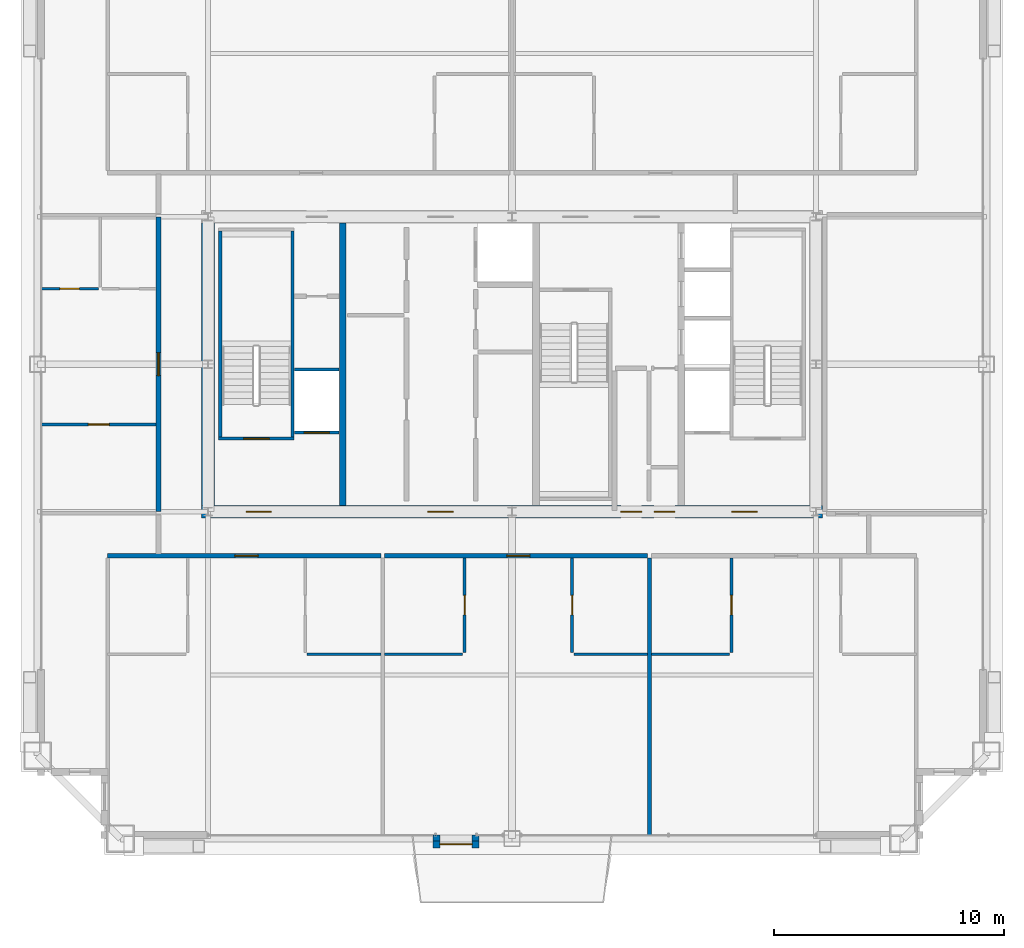
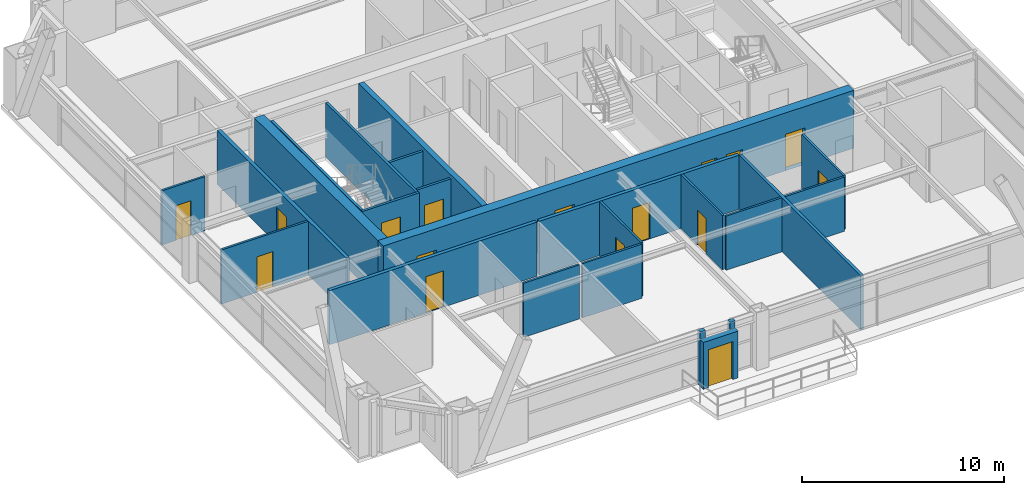
# One storey, part 31 of 35: 24 walls, 16 doors, 16 openings.
"""IFC4 building model written with IfcOpenShell, lengths in metres."""

from ifc_helpers import new_model, si_unit, direction, frame, frame_2d, origin, place, context, subcontext, project, spatial, rectangle, extrude, source, transform, mapped, material, layer, layer_set, type_object, element, fill, save


model = new_model("IFC4")

# Units and contexts
model_context = context("Model", 3, precision=1e-05, world=origin(), true_north=direction((0.0, 1.0)))
body_context = subcontext(model_context, "Body", "Model", "MODEL_VIEW")
ifc_project = project(units=[si_unit("LENGTHUNIT", "METRE"), si_unit("AREAUNIT", "SQUARE_METRE"), si_unit("VOLUMEUNIT", "CUBIC_METRE"), si_unit("PLANEANGLEUNIT", "RADIAN"), si_unit("MASSUNIT", "GRAM", prefix="KILO"), si_unit("THERMODYNAMICTEMPERATUREUNIT", "KELVIN"), si_unit("POWERUNIT", "WATT")], contexts=[model_context])

# Site, building, storey
site_placement = place(None, origin())
site = spatial("IfcSite", under=ifc_project, at=site_placement, CompositionType="ELEMENT")
building_placement = place(site_placement, origin())
building = spatial("IfcBuilding", under=site, at=building_placement, Name="Yuzanri Waterfront Tower", CompositionType="ELEMENT")
storey_placement = place(building_placement, frame((0.0, 0.0, 271.60009765625)))
storey = spatial("IfcBuildingStorey", under=building, at=storey_placement, Name="L72", CompositionType="ELEMENT", Elevation=271.60009765625)

# Wall, opening, door
ifc_material_1 = material(Name="Moisture-Resistant Gypsum Stud Wall", Category="gypsum")
ifc_layer_1 = layer(ifc_material_1, 0.1201171875)
ifc_layer_set_1 = layer_set([ifc_layer_1], Name="Moisture-Resistant Gypsum Stud Wall")
wall_type_1 = type_object("IfcWallType", Name="Bathroom and Kitchen Wet Partition 120", PredefinedType="PARTITIONING", material=ifc_layer_set_1)
wall_1_placement = place(storey_placement, frame((34.94091796875, 13.280029296875, 0.0), z_axis=(0.0, 0.0, 1.0), x_axis=(0.0, 1.0, 0.0)))
wall_1 = element("IfcWall", 1, at=wall_1_placement, inside=storey, type_object=wall_type_1, Name="L72 Partition UW-L72-HS2-SUB-1-E", PredefinedType="PARTITIONING", context=body_context, shape_type="SweptSolid", body=[
    extrude(rectangle(XDim=4.10986328125, YDim=0.1201171875, at=frame_2d((2.054931640625, 0.0))), origin(), (0.0, 0.0, 1.0), 3.27978515625),
])
opening_1_placement = place(wall_1_placement, frame((1.6298828125, 0.0, 0.0)))
opening_1 = element("IfcOpeningElement", 2, at=opening_1_placement, cuts=wall_1, Name="Opening ID-0850", PredefinedType="OPENING", context=body_context, shape_type="SweptSolid", body=[
    extrude(rectangle(XDim=0.85009765625, YDim=2.10009765625, at=frame_2d((0.425048828125, 1.050048828125))), frame((0.0, 0.074951171875, 0.0), z_axis=(0.0, -1.0, 0.0), x_axis=(1.0, 0.0, 0.0)), (0.0, 0.0, 1.0), 0.14990234375),
])
ifc_material_2 = material(Name="Moisture-Resistant Lacquered Timber", Category="wood")
door_type_1 = type_object("IfcDoorType", Name="En-Suite Bathroom and Kitchen Swing Door 850x2100", OperationType="NOTDEFINED", PredefinedType="DOOR", material=ifc_material_2)
shared_shape_1 = source(origin(), body_context, "Body", "SweptSolid", [
    extrude(rectangle(XDim=0.85009765625, YDim=2.10009765625, at=frame_2d((0.425048828125, 1.050048828125))), frame((0.0, 0.02490234375, 0.0), z_axis=(0.0, -1.0, 0.0), x_axis=(1.0, 0.0, 0.0)), (0.0, 0.0, 1.0), 0.050048828125),
])
door_1_placement = place(opening_1_placement, origin())
door_1 = element("IfcDoor", 3, at=door_1_placement, inside=storey, type_object=door_type_1, Name="L72 Suite Interior Room Door", OperationType="SINGLE_SWING_LEFT", OverallHeight=2.10009765625, OverallWidth=0.85009765625, PredefinedType="DOOR", context=body_context, shape_type="MappedRepresentation", body=[
    mapped(shared_shape_1, transform((0.0, 0.0, 0.0), scale=1.0)),
])
fill(opening_1, door_1)

wall_2_placement = place(storey_placement, frame((39.610107421875, 13.280029296875, 0.0), z_axis=(0.0, 0.0, 1.0), x_axis=(0.0, 1.0, 0.0)))
wall_2 = element("IfcWall", 4, at=wall_2_placement, inside=storey, type_object=wall_type_1, Name="L72 Partition UW-L72-HS2-SUB-2-W", PredefinedType="PARTITIONING", context=body_context, shape_type="SweptSolid", body=[
    extrude(rectangle(XDim=4.10986328125, YDim=0.1201171875, at=frame_2d((2.054931640625, 0.0))), origin(), (0.0, 0.0, 1.0), 3.27978515625),
])
opening_2_placement = place(wall_2_placement, frame((1.6298828125, 0.0, 0.0)))
opening_2 = element("IfcOpeningElement", 5, at=opening_2_placement, cuts=wall_2, Name="Opening ID-0850", PredefinedType="OPENING", context=body_context, shape_type="SweptSolid", body=[
    extrude(rectangle(XDim=0.85009765625, YDim=2.10009765625, at=frame_2d((0.425048828125, 1.050048828125))), frame((0.0, 0.074951171875, 0.0), z_axis=(0.0, -1.0, 0.0), x_axis=(1.0, 0.0, 0.0)), (0.0, 0.0, 1.0), 0.14990234375),
])
door_2_placement = place(opening_2_placement, origin())
door_2 = element("IfcDoor", 6, at=door_2_placement, inside=storey, type_object=door_type_1, Name="L72 Suite Interior Room Door", OperationType="SINGLE_SWING_RIGHT", OverallHeight=2.10009765625, OverallWidth=0.85009765625, PredefinedType="DOOR", context=body_context, shape_type="MappedRepresentation", body=[
    mapped(shared_shape_1, transform((0.0, 0.0, 0.0), scale=1.0)),
])
fill(opening_2, door_2)

wall_3_placement = place(storey_placement, frame((46.530029296875, 13.280029296875, 0.0), z_axis=(0.0, 0.0, 1.0), x_axis=(0.0, 1.0, 0.0)))
wall_3 = element("IfcWall", 7, at=wall_3_placement, inside=storey, type_object=wall_type_1, Name="L72 Partition UW-L72-HS3-SUB-1-E", PredefinedType="PARTITIONING", context=body_context, shape_type="SweptSolid", body=[
    extrude(rectangle(XDim=4.10986328125, YDim=0.1201171875, at=frame_2d((2.054931640625, 0.0))), origin(), (0.0, 0.0, 1.0), 3.27978515625),
])
opening_3_placement = place(wall_3_placement, frame((1.6298828125, 0.0, 0.0)))
opening_3 = element("IfcOpeningElement", 8, at=opening_3_placement, cuts=wall_3, Name="Opening ID-0850", PredefinedType="OPENING", context=body_context, shape_type="SweptSolid", body=[
    extrude(rectangle(XDim=0.85009765625, YDim=2.10009765625, at=frame_2d((0.425048828125, 1.050048828125))), frame((0.0, 0.074951171875, 0.0), z_axis=(0.0, -1.0, 0.0), x_axis=(1.0, 0.0, 0.0)), (0.0, 0.0, 1.0), 0.14990234375),
])
door_3_placement = place(opening_3_placement, origin())
door_3 = element("IfcDoor", 9, at=door_3_placement, inside=storey, type_object=door_type_1, Name="L72 Suite Interior Room Door", OperationType="SINGLE_SWING_RIGHT", OverallHeight=2.10009765625, OverallWidth=0.85009765625, PredefinedType="DOOR", context=body_context, shape_type="MappedRepresentation", body=[
    mapped(shared_shape_1, transform((0.0, 0.0, 0.0), scale=1.0)),
])
fill(opening_3, door_3)

wall_4_placement = place(storey_placement, frame((16.550048828125, 29.080078125, 0.0), z_axis=(0.0, 0.0, 1.0), x_axis=(1.0, 0.0, 0.0)))
wall_4 = element("IfcWall", 10, at=wall_4_placement, inside=storey, type_object=wall_type_1, Name="L72 Partition UW-L72-HW1-SUB-1-S", PredefinedType="PARTITIONING", context=body_context, shape_type="SweptSolid", body=[
    extrude(rectangle(XDim=2.48486328125, YDim=0.1201171875, at=frame_2d((1.242431640625, 0.0))), origin(), (0.0, 0.0, 1.0), 3.27978515625),
])
opening_4_placement = place(wall_4_placement, frame((0.8173828125, 0.0, 0.0)))
opening_4 = element("IfcOpeningElement", 11, at=opening_4_placement, cuts=wall_4, Name="Opening ID-0850", PredefinedType="OPENING", context=body_context, shape_type="SweptSolid", body=[
    extrude(rectangle(XDim=0.85009765625, YDim=2.10009765625, at=frame_2d((0.425048828125, 1.050048828125))), frame((0.0, 0.074951171875, 0.0), z_axis=(0.0, -1.0, 0.0), x_axis=(1.0, 0.0, 0.0)), (0.0, 0.0, 1.0), 0.14990234375),
])
door_4_placement = place(opening_4_placement, origin())
door_4 = element("IfcDoor", 12, at=door_4_placement, inside=storey, type_object=door_type_1, Name="L72 Suite Interior Room Door", OperationType="SINGLE_SWING_LEFT", OverallHeight=2.10009765625, OverallWidth=0.85009765625, PredefinedType="DOOR", context=body_context, shape_type="MappedRepresentation", body=[
    mapped(shared_shape_1, transform((0.0, 0.0, 0.0), scale=1.0)),
])
fill(opening_4, door_4)

wall_5_placement = place(storey_placement, frame((16.550048828125, 23.179931640625, 0.0), z_axis=(0.0, 0.0, 1.0), x_axis=(1.0, 0.0, 0.0)))
wall_5 = element("IfcWall", 13, at=wall_5_placement, inside=storey, type_object=wall_type_1, Name="L72 Partition UW-L72-HW1-SUB-3-N", PredefinedType="PARTITIONING", context=body_context, shape_type="SweptSolid", body=[
    extrude(rectangle(XDim=5.0, YDim=0.1201171875, at=frame_2d((2.5, 0.0))), origin(), (0.0, 0.0, 1.0), 3.27978515625),
])
opening_5_placement = place(wall_5_placement, frame((2.050048828125, 0.0, 0.0)))
opening_5 = element("IfcOpeningElement", 14, at=opening_5_placement, cuts=wall_5, Name="Opening ID-0900", PredefinedType="OPENING", context=body_context, shape_type="SweptSolid", body=[
    extrude(rectangle(XDim=0.89990234375, YDim=2.14990234375, at=frame_2d((0.449951171875, 1.074951171875))), frame((0.0, 0.074951171875, 0.0), z_axis=(0.0, -1.0, 0.0), x_axis=(1.0, 0.0, 0.0)), (0.0, 0.0, 1.0), 0.14990234375),
])
ifc_material_3 = material(Name="Stained Walnut Veneer Timber", Category="wood")
door_type_2 = type_object("IfcDoorType", Name="Bedroom and Study Interior Swing Door 900x2150", OperationType="NOTDEFINED", PredefinedType="DOOR", material=ifc_material_3)
shared_shape_2 = source(origin(), body_context, "Body", "SweptSolid", [
    extrude(rectangle(XDim=0.89990234375, YDim=2.14990234375, at=frame_2d((0.449951171875, 1.074951171875))), frame((0.0, 0.02490234375, 0.0), z_axis=(0.0, -1.0, 0.0), x_axis=(1.0, 0.0, 0.0)), (0.0, 0.0, 1.0), 0.050048828125),
])
door_5_placement = place(opening_5_placement, origin())
door_5 = element("IfcDoor", 15, at=door_5_placement, inside=storey, type_object=door_type_2, Name="L72 Suite Interior Room Door", OperationType="SINGLE_SWING_LEFT", OverallHeight=2.14990234375, OverallWidth=0.89990234375, PredefinedType="DOOR", context=body_context, shape_type="MappedRepresentation", body=[
    mapped(shared_shape_2, transform((0.0, 0.0, 0.0), scale=1.0)),
])
fill(opening_5, door_5)

ifc_material_4 = material(Name="Honed Chongqing Dark Basalt Stone", Category="masonry")
ifc_layer_2 = layer(ifc_material_4, 0.300048828125)
ifc_layer_set_2 = layer_set([ifc_layer_2], Name="Honed Chongqing Dark Basalt Stone")
wall_type_2 = type_object("IfcWallType", Name="Bronze Rainscreen Insulated Spandrel Portal Wall 300", PredefinedType="SOLIDWALL", material=ifc_layer_set_2)
wall_6_placement = place(storey_placement, frame((33.56396484375, 4.949951171875, 0.0), z_axis=(0.0, 0.0, 1.0), x_axis=(1.0, 0.0, 0.0)))
wall_6 = element("IfcWall", 16, at=wall_6_placement, inside=storey, type_object=wall_type_2, Name="L72 S Terrace Door Portal Wall", PredefinedType="SOLIDWALL", context=body_context, shape_type="SweptSolid", body=[
    extrude(rectangle(XDim=2.0, YDim=0.300048828125, at=frame_2d((1.0, 0.0))), origin(), (0.0, 0.0, 1.0), 2.8349609375),
])
opening_6_placement = place(wall_6_placement, frame((0.300048828125, 0.0, 0.0)))
opening_6 = element("IfcOpeningElement", 17, at=opening_6_placement, cuts=wall_6, Name="Opening TD-1400", PredefinedType="OPENING", context=body_context, shape_type="SweptSolid", body=[
    extrude(rectangle(XDim=1.39990234375, YDim=2.300048828125, at=frame_2d((0.699951171875, 1.14990234375))), frame((0.0, 0.1650390625, 0.0), z_axis=(0.0, -1.0, 0.0), x_axis=(1.0, 0.0, 0.0)), (0.0, 0.0, 1.0), 0.329833984375),
])
ifc_material_5 = material(Name="Anodized Architectural Bronze", Category="metal")
door_type_3 = type_object("IfcDoorType", Name="Anodized Bronze Balcony and Terrace Glazed Double Door 1400x2300", OperationType="NOTDEFINED", PredefinedType="DOOR", material=ifc_material_5)
shared_shape_3 = source(origin(), body_context, "Body", "SweptSolid", [
    extrude(rectangle(XDim=1.39990234375, YDim=2.300048828125, at=frame_2d((0.699951171875, 1.14990234375))), frame((0.0, 0.02490234375, 0.0), z_axis=(0.0, -1.0, 0.0), x_axis=(1.0, 0.0, 0.0)), (0.0, 0.0, 1.0), 0.050048828125),
])
door_6_placement = place(opening_6_placement, origin())
door_6 = element("IfcDoor", 18, at=door_6_placement, inside=storey, type_object=door_type_3, Name="L72 S Terrace Glazed Double Door", OperationType="DOUBLE_DOOR_SINGLE_SWING", OverallHeight=2.300048828125, OverallWidth=1.39990234375, PredefinedType="DOOR", context=body_context, shape_type="MappedRepresentation", body=[
    mapped(shared_shape_3, transform((0.0, 0.0, 0.0), scale=1.0)),
])
fill(opening_6, door_6)

# Wall, openings, doors
ifc_material_6 = material(Name="Concrete C50", Category="concrete")
ifc_layer_3 = layer(ifc_material_6, 0.550048828125)
ifc_layer_set_3 = layer_set([ifc_layer_3], Name="Concrete C50")
wall_type_3 = type_object("IfcWallType", Name="Concrete C50 Upper-Mid Zone Core Shear Wall 550", PredefinedType="SHEAR", material=ifc_layer_set_3)
wall_7_placement = place(storey_placement, frame((23.52490234375, 19.39990234375, 0.0), z_axis=(0.0, 0.0, 1.0), x_axis=(1.0, 0.0, 0.0)))
wall_7 = element("IfcWall", 19, at=wall_7_placement, inside=storey, type_object=wall_type_3, Name="L72 Core South Shear Wall", PredefinedType="SHEAR", context=body_context, shape_type="SweptSolid", body=[
    extrude(rectangle(XDim=26.9501953125, YDim=0.550048828125, at=frame_2d((13.47509765625, 0.0))), origin(), (0.0, 0.0, 1.0), 3.5),
])
opening_7_placement = place(wall_7_placement, frame((1.925048828125, 0.0, 0.0)))
opening_7 = element("IfcOpeningElement", 20, at=opening_7_placement, cuts=wall_7, Name="Opening FD-1100", PredefinedType="OPENING", context=body_context, shape_type="SweptSolid", body=[
    extrude(rectangle(XDim=1.10009765625, YDim=2.199951171875, at=frame_2d((0.550048828125, 1.10009765625))), frame((0.0, 0.2900390625, 0.0), z_axis=(0.0, -1.0, 0.0), x_axis=(1.0, 0.0, 0.0)), (0.0, 0.0, 1.0), 0.579833984375),
])
opening_8_placement = place(wall_7_placement, frame((9.824951171875, 0.0, 0.0)))
opening_8 = element("IfcOpeningElement", 21, at=opening_8_placement, cuts=wall_7, Name="Opening FD-1100", PredefinedType="OPENING", context=body_context, shape_type="SweptSolid", body=[
    extrude(rectangle(XDim=1.10009765625, YDim=2.199951171875, at=frame_2d((0.550048828125, 1.10009765625))), frame((0.0, 0.2900390625, 0.0), z_axis=(0.0, -1.0, 0.0), x_axis=(1.0, 0.0, 0.0)), (0.0, 0.0, 1.0), 0.579833984375),
])
opening_9_placement = place(wall_7_placement, frame((23.02490234375, 0.0, 0.0)))
opening_9 = element("IfcOpeningElement", 22, at=opening_9_placement, cuts=wall_7, Name="Opening FD-1100", PredefinedType="OPENING", context=body_context, shape_type="SweptSolid", body=[
    extrude(rectangle(XDim=1.10009765625, YDim=2.199951171875, at=frame_2d((0.550048828125, 1.10009765625))), frame((0.0, 0.2900390625, 0.0), z_axis=(0.0, -1.0, 0.0), x_axis=(1.0, 0.0, 0.0)), (0.0, 0.0, 1.0), 0.579833984375),
])
opening_10_placement = place(wall_7_placement, frame((19.64501953125, 0.0, 0.0)))
opening_10 = element("IfcOpeningElement", 23, at=opening_10_placement, cuts=wall_7, Name="Opening FD-0900", PredefinedType="OPENING", context=body_context, shape_type="SweptSolid", body=[
    extrude(rectangle(XDim=0.89990234375, YDim=2.14990234375, at=frame_2d((0.449951171875, 1.074951171875))), frame((0.0, 0.2900390625, 0.0), z_axis=(0.0, -1.0, 0.0), x_axis=(1.0, 0.0, 0.0)), (0.0, 0.0, 1.0), 0.579833984375),
])
opening_11_placement = place(wall_7_placement, frame((18.205078125, 0.0, 0.0)))
opening_11 = element("IfcOpeningElement", 24, at=opening_11_placement, cuts=wall_7, Name="Opening FD-0900", PredefinedType="OPENING", context=body_context, shape_type="SweptSolid", body=[
    extrude(rectangle(XDim=0.89990234375, YDim=2.14990234375, at=frame_2d((0.449951171875, 1.074951171875))), frame((0.0, 0.2900390625, 0.0), z_axis=(0.0, -1.0, 0.0), x_axis=(1.0, 0.0, 0.0)), (0.0, 0.0, 1.0), 0.579833984375),
])
ifc_material_7 = material(Name="Painted Galvanized Fire Steel", Category="steel")
door_type_4 = type_object("IfcDoorType", Name="Smoke-Proof Stair and Lobby Fire Door 1100x2200", OperationType="NOTDEFINED", PredefinedType="DOOR", material=ifc_material_7)
shared_shape_4 = source(origin(), body_context, "Body", "SweptSolid", [
    extrude(rectangle(XDim=1.10009765625, YDim=2.199951171875, at=frame_2d((0.550048828125, 1.10009765625))), frame((0.0, 0.02490234375, 0.0), z_axis=(0.0, -1.0, 0.0), x_axis=(1.0, 0.0, 0.0)), (0.0, 0.0, 1.0), 0.050048828125),
])
door_7_placement = place(opening_7_placement, origin())
door_7 = element("IfcDoor", 25, at=door_7_placement, inside=storey, type_object=door_type_4, Name="L72 West Firefighting Lobby Door", OperationType="SINGLE_SWING_RIGHT", OverallHeight=2.199951171875, OverallWidth=1.10009765625, PredefinedType="DOOR", context=body_context, shape_type="MappedRepresentation", body=[
    mapped(shared_shape_4, transform((0.0, 0.0, 0.0), scale=1.0)),
])
fill(opening_7, door_7)
door_8_placement = place(opening_8_placement, origin())
door_8 = element("IfcDoor", 26, at=door_8_placement, inside=storey, type_object=door_type_4, Name="L72 Central Lift Lobby South Door", OperationType="SINGLE_SWING_LEFT", OverallHeight=2.199951171875, OverallWidth=1.10009765625, PredefinedType="DOOR", context=body_context, shape_type="MappedRepresentation", body=[
    mapped(shared_shape_4, transform((0.0, 0.0, 0.0), scale=1.0)),
])
fill(opening_8, door_8)
door_9_placement = place(opening_9_placement, origin())
door_9 = element("IfcDoor", 27, at=door_9_placement, inside=storey, type_object=door_type_4, Name="L72 East Firefighting Lobby Door", OperationType="SINGLE_SWING_RIGHT", OverallHeight=2.199951171875, OverallWidth=1.10009765625, PredefinedType="DOOR", context=body_context, shape_type="MappedRepresentation", body=[
    mapped(shared_shape_4, transform((0.0, 0.0, 0.0), scale=1.0)),
])
fill(opening_9, door_9)
ifc_material_8 = material(Name="Painted Galvanized Fire Steel", Category="steel")
door_type_5 = type_object("IfcDoorType", Name="Riser and Service Room Fire Door 900x2150", OperationType="NOTDEFINED", PredefinedType="DOOR", material=ifc_material_8)
shared_shape_5 = source(origin(), body_context, "Body", "SweptSolid", [
    extrude(rectangle(XDim=0.89990234375, YDim=2.14990234375, at=frame_2d((0.449951171875, 1.074951171875))), frame((0.0, 0.02490234375, 0.0), z_axis=(0.0, -1.0, 0.0), x_axis=(1.0, 0.0, 0.0)), (0.0, 0.0, 1.0), 0.050048828125),
])
door_10_placement = place(opening_10_placement, origin())
door_10 = element("IfcDoor", 28, at=door_10_placement, inside=storey, type_object=door_type_5, Name="L72 East Wet Riser Door", OperationType="SINGLE_SWING_RIGHT", OverallHeight=2.14990234375, OverallWidth=0.89990234375, PredefinedType="DOOR", context=body_context, shape_type="MappedRepresentation", body=[
    mapped(shared_shape_5, transform((0.0, 0.0, 0.0), scale=1.0)),
])
fill(opening_10, door_10)
door_11_placement = place(opening_11_placement, origin())
door_11 = element("IfcDoor", 29, at=door_11_placement, inside=storey, type_object=door_type_5, Name="L72 Cleaners Store Room", OperationType="SINGLE_SWING_LEFT", OverallHeight=2.14990234375, OverallWidth=0.89990234375, PredefinedType="DOOR", context=body_context, shape_type="MappedRepresentation", body=[
    mapped(shared_shape_5, transform((0.0, 0.0, 0.0), scale=1.0)),
])
fill(opening_11, door_11)

# Wall, opening, door
ifc_material_9 = material(Name="Concrete C40", Category="concrete")
ifc_layer_4 = layer(ifc_material_9, 0.139892578125)
ifc_layer_set_4 = layer_set([ifc_layer_4], Name="Concrete C40")
wall_type_4 = type_object("IfcWallType", Name="Core Stair Liner and Hoistway Shaft Wall 140", PredefinedType="SOLIDWALL", material=ifc_layer_set_4)
wall_8_placement = place(storey_placement, frame((27.56005859375, 22.830078125, 0.0), z_axis=(0.0, 0.0, 1.0), x_axis=(1.0, 0.0, 0.0)))
wall_8 = element("IfcWall", 30, at=wall_8_placement, inside=storey, type_object=wall_type_4, Name="L72 Lift FL-01 Front Shaft Wall", PredefinedType="SOLIDWALL", context=body_context, shape_type="SweptSolid", body=[
    extrude(rectangle(XDim=1.919921875, YDim=0.139892578125, at=frame_2d((0.9599609375, 0.0))), origin(), (0.0, 0.0, 1.0), 3.27978515625),
])
opening_12_placement = place(wall_8_placement, frame((0.409912109375, 0.0, 0.0)))
opening_12 = element("IfcOpeningElement", 31, at=opening_12_placement, cuts=wall_8, Name="Opening LD-FL-01", PredefinedType="OPENING", context=body_context, shape_type="SweptSolid", body=[
    extrude(rectangle(XDim=1.10009765625, YDim=2.199951171875, at=frame_2d((0.550048828125, 1.10009765625))), frame((0.0, 0.0849609375, 0.0), z_axis=(0.0, -1.0, 0.0), x_axis=(1.0, 0.0, 0.0)), (0.0, 0.0, 1.0), 0.169677734375),
])
ifc_material_10 = material(Name="Brushed Bronze and Stainless Steel Cab", Category="steel")
door_type_6 = type_object("IfcDoorType", Name="Center-Parting Bronze Lift Landing Sliding Door 1100x2200", OperationType="NOTDEFINED", PredefinedType="DOOR", material=ifc_material_10)
shared_shape_6 = source(origin(), body_context, "Body", "SweptSolid", [
    extrude(rectangle(XDim=1.10009765625, YDim=2.199951171875, at=frame_2d((0.550048828125, 1.10009765625))), frame((0.0, 0.02490234375, 0.0), z_axis=(0.0, -1.0, 0.0), x_axis=(1.0, 0.0, 0.0)), (0.0, 0.0, 1.0), 0.050048828125),
])
door_12_placement = place(opening_12_placement, origin())
door_12 = element("IfcDoor", 32, at=door_12_placement, inside=storey, type_object=door_type_6, Name="L72 FL-01 Lift Landing Sliding Door", OperationType="SLIDING_TO_LEFT", OverallHeight=2.199951171875, OverallWidth=1.10009765625, PredefinedType="DOOR", context=body_context, shape_type="MappedRepresentation", body=[
    mapped(shared_shape_6, transform((0.0, 0.0, 0.0), scale=1.0)),
])
fill(opening_12, door_12)

wall_9_placement = place(storey_placement, frame((24.260009765625, 22.570068359375, 0.0), z_axis=(0.0, 0.0, 1.0), x_axis=(1.0, 0.0, 0.0)))
wall_9 = element("IfcWall", 33, at=wall_9_placement, inside=storey, type_object=wall_type_4, Name="L72 Shaft Wall STW-L72-ST-01-S", PredefinedType="SOLIDWALL", context=body_context, shape_type="SweptSolid", body=[
    extrude(rectangle(XDim=3.280029296875, YDim=0.139892578125, at=frame_2d((1.64013671875, 0.0))), origin(), (0.0, 0.0, 1.0), 3.27978515625),
])
opening_13_placement = place(wall_9_placement, frame((1.090087890625, 0.0, 0.0)))
opening_13 = element("IfcOpeningElement", 34, at=opening_13_placement, cuts=wall_9, Name="Opening FD-1100", PredefinedType="OPENING", context=body_context, shape_type="SweptSolid", body=[
    extrude(rectangle(XDim=1.10009765625, YDim=2.199951171875, at=frame_2d((0.550048828125, 1.10009765625))), frame((0.0, 0.0849609375, 0.0), z_axis=(0.0, -1.0, 0.0), x_axis=(1.0, 0.0, 0.0)), (0.0, 0.0, 1.0), 0.169677734375),
])
door_13_placement = place(opening_13_placement, origin())
door_13 = element("IfcDoor", 35, at=door_13_placement, inside=storey, type_object=door_type_4, Name="L72 Stair ST-01 Fire Door", OperationType="SINGLE_SWING_LEFT", OverallHeight=2.199951171875, OverallWidth=1.10009765625, PredefinedType="DOOR", context=body_context, shape_type="MappedRepresentation", body=[
    mapped(shared_shape_4, transform((0.0, 0.0, 0.0), scale=1.0)),
])
fill(opening_13, door_13)

ifc_material_11 = material(Name="Autoclaved Aerated Concrete Blockwork", Category="masonry")
ifc_layer_5 = layer(ifc_material_11, 0.199951171875)
ifc_layer_set_5 = layer_set([ifc_layer_5], Name="Autoclaved Aerated Concrete Blockwork")
wall_type_5 = type_object("IfcWallType", Name="Corridor and Unit Party Fire Wall 200", PredefinedType="PARTITIONING", material=ifc_layer_set_5)
wall_10_placement = place(storey_placement, frame((19.43994140625, 17.489990234375, 0.0), z_axis=(0.0, 0.0, 1.0), x_axis=(1.0, 0.0, 0.0)))
wall_10 = element("IfcWall", 36, at=wall_10_placement, inside=storey, type_object=wall_type_5, Name="L72 Partition UW-L72-HS1-CN", PredefinedType="PARTITIONING", context=body_context, shape_type="SweptSolid", body=[
    extrude(rectangle(XDim=11.861083984375, YDim=0.199951171875, at=frame_2d((5.9306640625, 0.0))), origin(), (0.0, 0.0, 1.0), 3.27978515625),
])
opening_14_placement = place(wall_10_placement, frame((5.531005859375, 0.0, 0.0)))
opening_14 = element("IfcOpeningElement", 37, at=opening_14_placement, cuts=wall_10, Name="Opening FD-1000", PredefinedType="OPENING", context=body_context, shape_type="SweptSolid", body=[
    extrude(rectangle(XDim=1.0, YDim=2.199951171875, at=frame_2d((0.5, 1.10009765625))), frame((0.0, 0.11474609375, 0.0), z_axis=(0.0, -1.0, 0.0), x_axis=(1.0, 0.0, 0.0)), (0.0, 0.0, 1.0), 0.229736328125),
])
ifc_material_12 = material(Name="Engineered Oak Fire-Rated Timber", Category="wood")
door_type_7 = type_object("IfcDoorType", Name="Guestroom and Apartment Entrance Fire Door 1000x2200", OperationType="NOTDEFINED", PredefinedType="DOOR", material=ifc_material_12)
shared_shape_7 = source(origin(), body_context, "Body", "SweptSolid", [
    extrude(rectangle(XDim=1.0, YDim=2.199951171875, at=frame_2d((0.5, 1.10009765625))), frame((0.0, 0.02490234375, 0.0), z_axis=(0.0, -1.0, 0.0), x_axis=(1.0, 0.0, 0.0)), (0.0, 0.0, 1.0), 0.050048828125),
])
door_14_placement = place(opening_14_placement, origin())
door_14 = element("IfcDoor", 38, at=door_14_placement, inside=storey, type_object=door_type_7, Name="L72 Studio Living and Sleeping Room Entrance Door", OperationType="SINGLE_SWING_LEFT", OverallHeight=2.199951171875, OverallWidth=1.0, PredefinedType="DOOR", context=body_context, shape_type="MappedRepresentation", body=[
    mapped(shared_shape_7, transform((0.0, 0.0, 0.0), scale=1.0)),
])
fill(opening_14, door_14)

wall_11_placement = place(storey_placement, frame((31.4609375, 17.489990234375, 0.0), z_axis=(0.0, 0.0, 1.0), x_axis=(1.0, 0.0, 0.0)))
wall_11 = element("IfcWall", 39, at=wall_11_placement, inside=storey, type_object=wall_type_5, Name="L72 Partition UW-L72-HS2-CN", PredefinedType="PARTITIONING", context=body_context, shape_type="SweptSolid", body=[
    extrude(rectangle(XDim=11.428955078125, YDim=0.199951171875, at=frame_2d((5.71435546875, 0.0))), origin(), (0.0, 0.0, 1.0), 3.27978515625),
])
opening_15_placement = place(wall_11_placement, frame((5.31396484375, 0.0, 0.0)))
opening_15 = element("IfcOpeningElement", 40, at=opening_15_placement, cuts=wall_11, Name="Opening FD-1000", PredefinedType="OPENING", context=body_context, shape_type="SweptSolid", body=[
    extrude(rectangle(XDim=1.0, YDim=2.199951171875, at=frame_2d((0.5, 1.10009765625))), frame((0.0, 0.11474609375, 0.0), z_axis=(0.0, -1.0, 0.0), x_axis=(1.0, 0.0, 0.0)), (0.0, 0.0, 1.0), 0.229736328125),
])
door_15_placement = place(opening_15_placement, origin())
door_15 = element("IfcDoor", 41, at=door_15_placement, inside=storey, type_object=door_type_7, Name="L72 Studio Living and Sleeping Room Entrance Door", OperationType="SINGLE_SWING_RIGHT", OverallHeight=2.199951171875, OverallWidth=1.0, PredefinedType="DOOR", context=body_context, shape_type="MappedRepresentation", body=[
    mapped(shared_shape_7, transform((0.0, 0.0, 0.0), scale=1.0)),
])
fill(opening_15, door_15)

wall_12_placement = place(storey_placement, frame((21.64990234375, 19.409912109375, 0.0), z_axis=(0.0, 0.0, 1.0), x_axis=(0.0, 1.0, 0.0)))
wall_12 = element("IfcWall", 42, at=wall_12_placement, inside=storey, type_object=wall_type_5, Name="L72 Partition UW-L72-HW1-CW", PredefinedType="PARTITIONING", context=body_context, shape_type="SweptSolid", body=[
    extrude(rectangle(XDim=12.780029296875, YDim=0.199951171875, at=frame_2d((6.39013671875, 0.0))), origin(), (0.0, 0.0, 1.0), 3.27978515625),
])
opening_16_placement = place(wall_12_placement, frame((5.889892578125, 0.0, 0.0)))
opening_16 = element("IfcOpeningElement", 43, at=opening_16_placement, cuts=wall_12, Name="Opening FD-1000", PredefinedType="OPENING", context=body_context, shape_type="SweptSolid", body=[
    extrude(rectangle(XDim=1.0, YDim=2.199951171875, at=frame_2d((0.5, 1.10009765625))), frame((0.0, 0.11474609375, 0.0), z_axis=(0.0, -1.0, 0.0), x_axis=(1.0, 0.0, 0.0)), (0.0, 0.0, 1.0), 0.229736328125),
])
door_16_placement = place(opening_16_placement, origin())
door_16 = element("IfcDoor", 44, at=door_16_placement, inside=storey, type_object=door_type_7, Name="L72 Apartment Living Room Entrance Door", OperationType="SINGLE_SWING_RIGHT", OverallHeight=2.199951171875, OverallWidth=1.0, PredefinedType="DOOR", context=body_context, shape_type="MappedRepresentation", body=[
    mapped(shared_shape_7, transform((0.0, 0.0, 0.0), scale=1.0)),
])
fill(opening_16, door_16)

# Walls
shared_shape_8 = source(origin(), body_context, "Body", "SweptSolid", [
    extrude(rectangle(XDim=12.25, YDim=0.550048828125, at=frame_2d((6.125, 0.0))), origin(), (0.0, 0.0, 1.0), 3.5),
])
wall_13_placement = place(storey_placement, frame((23.800048828125, 19.675048828125, 0.0), z_axis=(0.0, 0.0, 1.0), x_axis=(0.0, 1.0, 0.0)))
element("IfcWall", 45, at=wall_13_placement, inside=storey, type_object=wall_type_3, Name="L72 Core West Shear Wall", PredefinedType="SHEAR", context=body_context, shape_type="MappedRepresentation", body=[
    mapped(shared_shape_8, transform((0.0, 0.0, 0.0), scale=1.0)),
])
ifc_material_13 = material(Name="Concrete C50", Category="concrete")
ifc_layer_6 = layer(ifc_material_13, 0.300048828125)
ifc_layer_set_6 = layer_set([ifc_layer_6], Name="Concrete C50")
wall_type_6 = type_object("IfcWallType", Name="Concrete C50 Internal Core Shaft Structural Wall 300", PredefinedType="SOLIDWALL", material=ifc_layer_set_6)
shared_shape_9 = source(origin(), body_context, "Body", "SweptSolid", [
    extrude(rectangle(XDim=12.25, YDim=0.300048828125, at=frame_2d((6.125, 0.0))), origin(), (0.0, 0.0, 1.0), 3.5),
])
wall_14_placement = place(storey_placement, frame((29.64990234375, 19.675048828125, 0.0), z_axis=(0.0, 0.0, 1.0), x_axis=(0.0, 1.0, 0.0)))
element("IfcWall", 46, at=wall_14_placement, inside=storey, type_object=wall_type_6, Name="L72 Core Internal Structural Web Wall 1", PredefinedType="SOLIDWALL", context=body_context, shape_type="MappedRepresentation", body=[
    mapped(shared_shape_9, transform((0.0, 0.0, 0.0), scale=1.0)),
])
shared_shape_10 = source(origin(), body_context, "Body", "SweptSolid", [
    extrude(rectangle(XDim=0.25, YDim=0.300048828125, at=frame_2d((0.125, 0.0))), origin(), (0.0, 0.0, 1.0), 3.27978515625),
])
for number, where, z_axis, x_axis, name in (
    (47, (33.714111328125, 5.35009765625, 0.0), (0.0, 0.0, 1.0), (0.0, -1.0, 0.0), "L72 S Terrace Portal Left Return"),
    (48, (35.4140625, 5.10009765625, 0.0), (0.0, 0.0, 1.0), (0.0, 1.0, 0.0), "L72 S Terrace Portal Right Return"),
):
    element("IfcWall", number, at=place(storey_placement, frame(where, z_axis=z_axis, x_axis=x_axis)), inside=storey, type_object=wall_type_2, Name=name, PredefinedType="SOLIDWALL", context=body_context, shape_type="MappedRepresentation", body=[
        mapped(shared_shape_10, transform((0.0, 0.0, 0.0), scale=1.0)),
    ])
shared_shape_11 = source(origin(), body_context, "Body", "SweptSolid", [
    extrude(rectangle(XDim=1.919921875, YDim=0.139892578125, at=frame_2d((0.9599609375, 0.0))), origin(), (0.0, 0.0, 1.0), 3.27978515625),
])
wall_15_placement = place(storey_placement, frame((27.56005859375, 25.570068359375, 0.0), z_axis=(0.0, 0.0, 1.0), x_axis=(1.0, 0.0, 0.0)))
element("IfcWall", 49, at=wall_15_placement, inside=storey, type_object=wall_type_4, Name="L72 Lift FL-01 Back Shaft Wall", PredefinedType="SOLIDWALL", context=body_context, shape_type="MappedRepresentation", body=[
    mapped(shared_shape_11, transform((0.0, 0.0, 0.0), scale=1.0)),
])
shared_shape_12 = source(origin(), body_context, "Body", "SweptSolid", [
    extrude(rectangle(XDim=8.940185546875, YDim=0.139892578125, at=frame_2d((4.47021484375, 0.0))), origin(), (0.0, 0.0, 1.0), 3.27978515625),
])
for number, where, z_axis, x_axis, name in (
    (50, (24.330078125, 22.639892578125, 0.0), (0.0, 0.0, 1.0), (0.0, 1.0, 0.0), "L72 Stair ST-01 West Shaft Wall"),
    (51, (27.469970703125, 22.639892578125, 0.0), (0.0, 0.0, 1.0), (0.0, 1.0, 0.0), "L72 Stair ST-01 East Shaft Wall"),
):
    element("IfcWall", number, at=place(storey_placement, frame(where, z_axis=z_axis, x_axis=x_axis)), inside=storey, type_object=wall_type_4, Name=name, PredefinedType="SOLIDWALL", context=body_context, shape_type="MappedRepresentation", body=[
        mapped(shared_shape_12, transform((0.0, 0.0, 0.0), scale=1.0)),
    ])
ifc_material_14 = material(Name="Gypsum Fireboard Acoustic Stud Wall", Category="gypsum")
ifc_layer_7 = layer(ifc_material_14, 0.159912109375)
ifc_layer_set_7 = layer_set([ifc_layer_7], Name="Gypsum Fireboard Acoustic Stud Wall")
wall_type_7 = type_object("IfcWallType", Name="Acoustic Suite Demising Partition 160", PredefinedType="PARTITIONING", material=ifc_layer_set_7)
shared_shape_13 = source(origin(), body_context, "Body", "SweptSolid", [
    extrude(rectangle(XDim=12.039794921875, YDim=0.159912109375, at=frame_2d((6.02001953125, 0.0))), origin(), (0.0, 0.0, 1.0), 3.27978515625),
])
wall_16_placement = place(storey_placement, frame((42.969970703125, 5.35009765625, 0.0), z_axis=(0.0, 0.0, 1.0), x_axis=(0.0, 1.0, 0.0)))
element("IfcWall", 52, at=wall_16_placement, inside=storey, type_object=wall_type_7, Name="L72-HS2 Party Wall", PredefinedType="PARTITIONING", context=body_context, shape_type="MappedRepresentation", body=[
    mapped(shared_shape_13, transform((0.0, 0.0, 0.0), scale=1.0)),
])
shared_shape_14 = source(origin(), body_context, "Body", "SweptSolid", [
    extrude(rectangle(XDim=3.400146484375, YDim=0.1201171875, at=frame_2d((1.7001953125, 0.0))), origin(), (0.0, 0.0, 1.0), 3.27978515625),
])
wall_17_placement = place(storey_placement, frame((31.4609375, 13.199951171875, 0.0), z_axis=(0.0, 0.0, 1.0), x_axis=(1.0, 0.0, 0.0)))
element("IfcWall", 53, at=wall_17_placement, inside=storey, type_object=wall_type_1, Name="L72 Partition UW-L72-HS2-SUB-1-S", PredefinedType="PARTITIONING", context=body_context, shape_type="MappedRepresentation", body=[
    mapped(shared_shape_14, transform((0.0, 0.0, 0.0), scale=1.0)),
])
shared_shape_15 = source(origin(), body_context, "Body", "SweptSolid", [
    extrude(rectangle(XDim=3.199951171875, YDim=0.1201171875, at=frame_2d((1.60009765625, 0.0))), origin(), (0.0, 0.0, 1.0), 3.27978515625),
])
for number, where, z_axis, x_axis, name in (
    (54, (28.10107421875, 13.199951171875, 0.0), (0.0, 0.0, 1.0), (1.0, 0.0, 0.0), "L72 Partition UW-L72-HS1-SUB-2-S"),
    (55, (39.68994140625, 13.199951171875, 0.0), (0.0, 0.0, 1.0), (1.0, 0.0, 0.0), "L72 Partition UW-L72-HS2-SUB-2-S"),
):
    element("IfcWall", number, at=place(storey_placement, frame(where, z_axis=z_axis, x_axis=x_axis)), inside=storey, type_object=wall_type_1, Name=name, PredefinedType="PARTITIONING", context=body_context, shape_type="MappedRepresentation", body=[
        mapped(shared_shape_15, transform((0.0, 0.0, 0.0), scale=1.0)),
    ])
shared_shape_16 = source(origin(), body_context, "Body", "SweptSolid", [
    extrude(rectangle(XDim=3.39990234375, YDim=0.1201171875, at=frame_2d((1.699951171875, 0.0))), origin(), (0.0, 0.0, 1.0), 3.27978515625),
])
wall_18_placement = place(storey_placement, frame((43.050048828125, 13.199951171875, 0.0), z_axis=(0.0, 0.0, 1.0), x_axis=(1.0, 0.0, 0.0)))
element("IfcWall", 56, at=wall_18_placement, inside=storey, type_object=wall_type_1, Name="L72 Partition UW-L72-HS3-SUB-1-S", PredefinedType="PARTITIONING", context=body_context, shape_type="MappedRepresentation", body=[
    mapped(shared_shape_16, transform((0.0, 0.0, 0.0), scale=1.0)),
])

save(model, "model.ifc")
